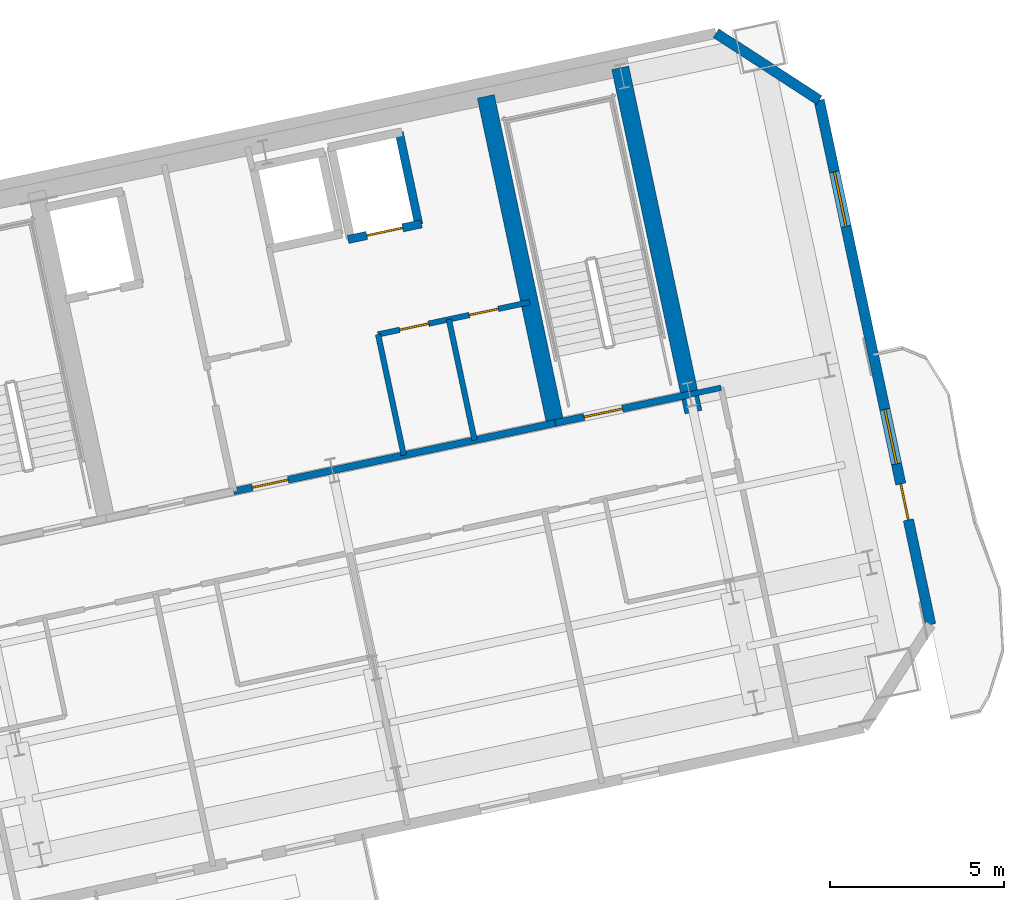
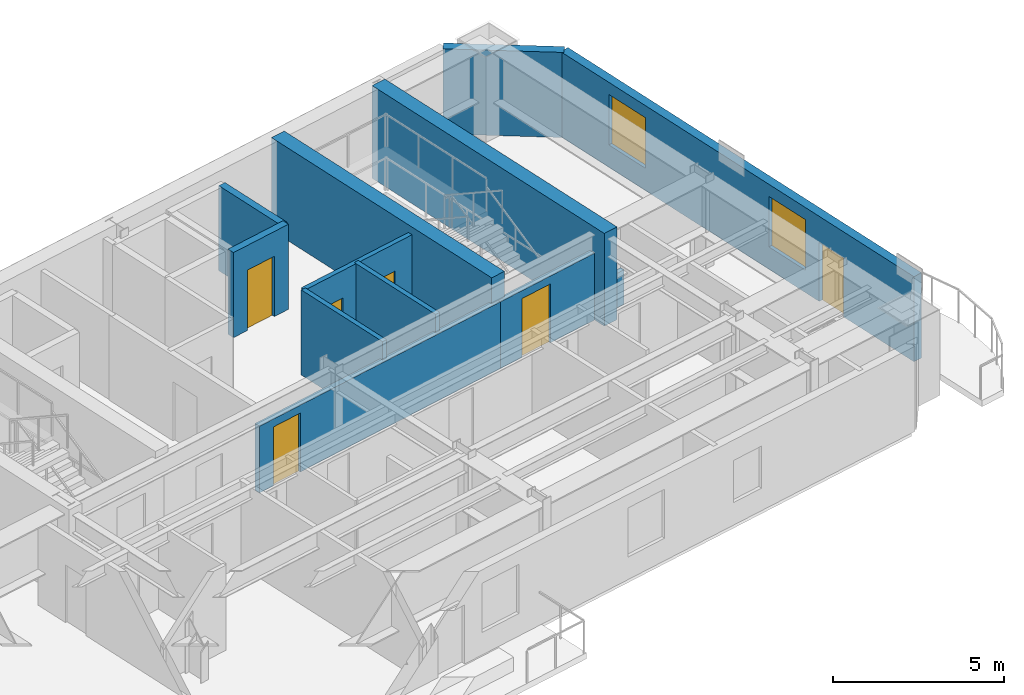
# One storey, part 11 of 16: 12 walls, 6 doors, 2 windows, 8 openings.
"""IFC4 building model written with IfcOpenShell, lengths in metres."""

from ifc_helpers import new_model, si_unit, direction, frame, frame_2d, origin, place, context, subcontext, project, spatial, rectangle, extrude, material, layer, layer_set, type_object, element, fill, save


model = new_model("IFC4")

# Units and contexts
model_context = context("Model", 3, precision=1e-05, world=origin(), true_north=direction((0.0, 1.0)))
body_context = subcontext(model_context, "Body", "Model", "MODEL_VIEW")
ifc_project = project(units=[si_unit("LENGTHUNIT", "METRE"), si_unit("AREAUNIT", "SQUARE_METRE"), si_unit("VOLUMEUNIT", "CUBIC_METRE"), si_unit("PLANEANGLEUNIT", "RADIAN"), si_unit("MASSUNIT", "GRAM", prefix="KILO")], contexts=[model_context])

# Site, building, storey
site_placement = place(None, origin())
site = spatial("IfcSite", under=ifc_project, at=site_placement, CompositionType="ELEMENT")
building_placement = place(site_placement, origin())
building = spatial("IfcBuilding", under=site, at=building_placement, Name="Haevon Station Towers", CompositionType="ELEMENT")
storey_placement = place(building_placement, frame((0.0, 0.0, 172.5)))
storey = spatial("IfcBuildingStorey", under=building, at=storey_placement, Name="L47", CompositionType="ELEMENT", Elevation=172.5)

# Wall, opening, door
ifc_material_1 = material(Name="Gypsum board on steel stud", Category="steel")
ifc_layer_1 = layer(ifc_material_1, 0.199951171875)
ifc_layer_set_1 = layer_set([ifc_layer_1], Name="Gypsum board on steel stud")
wall_type_1 = type_object("IfcWallType", Name="WL-COR200", PredefinedType="PARTITIONING", material=ifc_layer_set_1)
wall_1_placement = place(storey_placement, frame((115.4296875, 40.9873046875, 0.0), z_axis=(0.0, 0.0, 1.0), x_axis=(0.978146596989, 0.207916413008, 0.0)))
wall_1 = element("IfcWall", 1, at=wall_1_placement, inside=storey, type_object=wall_type_1, Name="WL-ST-ST4-L47", PredefinedType="PARTITIONING", context=body_context, shape_type="SweptSolid", body=[
    extrude(rectangle(XDim=3.9501953125, YDim=0.199951171875, at=frame_2d((1.97509765625, 0.0))), origin(), (0.0, 0.0, 1.0), 2.3798828125),
])
opening_1_placement = place(wall_1_placement, frame((0.85009765625, 0.0, 0.0)))
opening_1 = element("IfcOpeningElement", 2, at=opening_1_placement, cuts=wall_1, Name="Opening DR-ST-ST4-L47", PredefinedType="OPENING", context=body_context, shape_type="SweptSolid", body=[
    extrude(rectangle(XDim=1.1201171875, YDim=2.10009765625, at=frame_2d((0.56005859375, 1.050048828125))), frame((0.0, 0.10986328125, 0.0), z_axis=(0.0, -1.0, 0.0), x_axis=(1.0, 0.0, 0.0)), (0.0, 0.0, 1.0), 0.219970703125),
])
ifc_material_2 = material(Name="Engineered oak timber", Category="wood")
door_type_1 = type_object("IfcDoorType", Name="DR-ST-1120", OperationType="NOTDEFINED", PredefinedType="DOOR", material=ifc_material_2)
door_1_placement = place(opening_1_placement, origin())
door_1 = element("IfcDoor", 3, at=door_1_placement, inside=storey, type_object=door_type_1, Name="L47 Escape Stair ST4 Fire Door", OperationType="SINGLE_SWING_LEFT", OverallHeight=2.10009765625, OverallWidth=1.1201171875, PredefinedType="DOOR", context=body_context, shape_type="SweptSolid", body=[
    extrude(rectangle(XDim=1.1201171875, YDim=2.10009765625, at=frame_2d((0.56005859375, 1.050048828125))), frame((0.0, 0.02490234375, 0.0), z_axis=(0.0, -1.0, 0.0), x_axis=(1.0, 0.0, 0.0)), (0.0, 0.0, 1.0), 0.050048828125),
])
fill(opening_1, door_1)

wall_2_placement = place(storey_placement, frame((106.186279296875, 39.0224609375, 0.0), z_axis=(0.0, 0.0, 1.0), x_axis=(0.978145519981, 0.20792147975, 0.0)))
wall_2 = element("IfcWall", 4, at=wall_2_placement, inside=storey, type_object=wall_type_1, Name="WL-T2CLB-L47", PredefinedType="PARTITIONING", context=body_context, shape_type="SweptSolid", body=[
    extrude(rectangle(XDim=9.449951171875, YDim=0.199951171875, at=frame_2d((4.72509765625, 0.0))), origin(), (0.0, 0.0, 1.0), 2.3798828125),
])
opening_2_placement = place(wall_2_placement, frame((0.550048828125, 0.0, 0.0)))
opening_2 = element("IfcOpeningElement", 5, at=opening_2_placement, cuts=wall_2, Name="Opening DR-T2CLB-L47-1", PredefinedType="OPENING", context=body_context, shape_type="SweptSolid", body=[
    extrude(rectangle(XDim=1.050048828125, YDim=2.10009765625, at=frame_2d((0.52490234375, 1.050048828125))), frame((0.0, 0.10986328125, 0.0), z_axis=(0.0, -1.0, 0.0), x_axis=(1.0, 0.0, 0.0)), (0.0, 0.0, 1.0), 0.219970703125),
])
door_type_2 = type_object("IfcDoorType", Name="DR-FD60-1050", OperationType="NOTDEFINED", PredefinedType="DOOR", material=ifc_material_2)
door_2_placement = place(opening_2_placement, origin())
door_2 = element("IfcDoor", 6, at=door_2_placement, inside=storey, type_object=door_type_2, Name="L47 Tower 2 Core Lift Lobby Door 1", OperationType="SINGLE_SWING_RIGHT", OverallHeight=2.10009765625, OverallWidth=1.050048828125, PredefinedType="DOOR", context=body_context, shape_type="SweptSolid", body=[
    extrude(rectangle(XDim=1.050048828125, YDim=2.10009765625, at=frame_2d((0.52490234375, 1.050048828125))), frame((0.0, 0.02490234375, 0.0), z_axis=(0.0, -1.0, 0.0), x_axis=(1.0, 0.0, 0.0)), (0.0, 0.0, 1.0), 0.050048828125),
])
fill(opening_2, door_2)

# Walls
ifc_material_3 = material(Name="Concrete C60/75", Category="concrete")
ifc_layer_2 = layer(ifc_material_3, 0.5)
ifc_layer_set_2 = layer_set([ifc_layer_2], Name="Concrete C60/75")
wall_type_2 = type_object("IfcWallType", Name="WL-CR500", PredefinedType="SHEAR", material=ifc_layer_set_2)
wall_3_placement = place(storey_placement, frame((119.401611328125, 41.2998046875, 0.0), z_axis=(0.0, 0.0, 1.0), x_axis=(-0.207904342798, 0.978149162575, 0.0)))
element("IfcWall", 7, at=wall_3_placement, inside=storey, type_object=wall_type_2, Name="WL-T2CR-L47-E", PredefinedType="SHEAR", context=body_context, shape_type="SweptSolid", body=[
    extrude(rectangle(XDim=10.1201171875, YDim=0.5, at=frame_2d((5.06005859375, 0.0))), origin(), (0.0, 0.0, 1.0), 3.300048828125),
])
wall_4_placement = place(storey_placement, frame((115.4296875, 40.9873046875, 0.0), z_axis=(0.0, 0.0, 1.0), x_axis=(-0.207903162969, 0.978149413345, 0.0)))
element("IfcWall", 8, at=wall_4_placement, inside=storey, type_object=wall_type_2, Name="WL-T2CR-L47-M2", PredefinedType="SHEAR", context=body_context, shape_type="SweptSolid", body=[
    extrude(rectangle(XDim=9.599853515625, YDim=0.5, at=frame_2d((4.7998046875, 0.0))), origin(), (0.0, 0.0, 1.0), 3.300048828125),
])
ifc_material_4 = material(Name="Precast concrete C45/55", Category="concrete")
ifc_layer_3 = layer(ifc_material_4, 0.300048828125)
ifc_layer_set_3 = layer_set([ifc_layer_3], Name="Precast concrete C45/55")
wall_type_3 = type_object("IfcWallType", Name="WL-EXT-PIER300", PredefinedType="SOLIDWALL", material=ifc_layer_set_3)
wall_5_placement = place(storey_placement, frame((120.051025390625, 52.19287109375, 0.0), z_axis=(0.0, 0.0, 1.0), x_axis=(0.838672309694, -0.544636352948, 0.0)))
element("IfcWall", 9, at=wall_5_placement, inside=storey, type_object=wall_type_3, Name="WL-T2-L47-NEC", PredefinedType="SOLIDWALL", context=body_context, shape_type="SweptSolid", body=[
    extrude(rectangle(XDim=3.535400390625, YDim=0.300048828125, at=frame_2d((1.767578125, 0.0))), origin(), (0.0, 0.0, 1.0), 3.030029296875),
])

# Wall, openings, door, windows
wall_6_placement = place(storey_placement, frame((123.01611328125, 50.267333984375, 0.0), z_axis=(0.0, 0.0, 1.0), x_axis=(0.207908020757, -0.978148380822, 0.0)))
wall_6 = element("IfcWall", 10, at=wall_6_placement, inside=storey, type_object=wall_type_3, Name="WL-T2-L47-E", PredefinedType="SOLIDWALL", context=body_context, shape_type="SweptSolid", body=[
    extrude(rectangle(XDim=15.409912109375, YDim=0.300048828125, at=frame_2d((7.705078125, 0.0))), origin(), (0.0, 0.0, 1.0), 3.030029296875),
])
opening_3_placement = place(wall_6_placement, frame((11.280029296875, 0.0, 0.0)))
opening_3 = element("IfcOpeningElement", 11, at=opening_3_placement, cuts=wall_6, Name="Opening DR-T2-SCAL-L47-E", PredefinedType="OPENING", context=body_context, shape_type="SweptSolid", body=[
    extrude(rectangle(XDim=1.050048828125, YDim=2.10009765625, at=frame_2d((0.52490234375, 1.050048828125))), frame((0.0, 0.159912109375, 0.0), z_axis=(0.0, -1.0, 0.0), x_axis=(1.0, 0.0, 0.0)), (0.0, 0.0, 1.0), 0.320068359375),
])
opening_4_placement = place(wall_6_placement, frame((2.108154296875, 0.0, 0.800048828125)))
opening_4 = element("IfcOpeningElement", 12, at=opening_4_placement, cuts=wall_6, Name="Opening WN-END160", PredefinedType="OPENING", context=body_context, shape_type="SweptSolid", body=[
    extrude(rectangle(XDim=1.60009765625, YDim=1.800048828125, at=frame_2d((0.800048828125, 0.89990234375))), frame((0.0, 0.159912109375, 0.0), z_axis=(0.0, -1.0, 0.0), x_axis=(1.0, 0.0, 0.0)), (0.0, 0.0, 1.0), 0.320068359375),
])
opening_5_placement = place(wall_6_placement, frame((9.08544921875, 0.0, 0.800048828125)))
opening_5 = element("IfcOpeningElement", 13, at=opening_5_placement, cuts=wall_6, Name="Opening WN-END160", PredefinedType="OPENING", context=body_context, shape_type="SweptSolid", body=[
    extrude(rectangle(XDim=1.60009765625, YDim=1.800048828125, at=frame_2d((0.800048828125, 0.89990234375))), frame((0.0, 0.159912109375, 0.0), z_axis=(0.0, -1.0, 0.0), x_axis=(1.0, 0.0, 0.0)), (0.0, 0.0, 1.0), 0.320068359375),
])
ifc_material_5 = material(Name="Thermally broken anodised aluminium and laminated safety glass", Category="aluminium")
door_type_3 = type_object("IfcDoorType", Name="DR-BALC-1050", OperationType="NOTDEFINED", PredefinedType="DOOR", material=ifc_material_5)
door_3_placement = place(opening_3_placement, origin())
door_3 = element("IfcDoor", 14, at=door_3_placement, inside=storey, type_object=door_type_3, Name="Tower 2 L47 East Scalloped Balcony Door", OperationType="SINGLE_SWING_LEFT", OverallHeight=2.10009765625, OverallWidth=1.050048828125, PredefinedType="DOOR", context=body_context, shape_type="SweptSolid", body=[
    extrude(rectangle(XDim=1.050048828125, YDim=2.10009765625, at=frame_2d((0.52490234375, 1.050048828125))), frame((0.0, 0.02490234375, 0.0), z_axis=(0.0, -1.0, 0.0), x_axis=(1.0, 0.0, 0.0)), (0.0, 0.0, 1.0), 0.050048828125),
])
fill(opening_3, door_3)
ifc_material_6 = material(Name="Low-E triple glazing in thermally broken aluminium", Category="aluminium")
window_type = type_object("IfcWindowType", Name="WN-END160", PartitioningType="SINGLE_PANEL", PredefinedType="WINDOW", material=ifc_material_6)
window_1_placement = place(opening_4_placement, origin())
window_1 = element("IfcWindow", 15, at=window_1_placement, inside=storey, type_object=window_type, Name="WN-T2-L47-E01", OverallHeight=1.800048828125, OverallWidth=1.60009765625, PartitioningType="SINGLE_PANEL", PredefinedType="WINDOW", context=body_context, shape_type="SweptSolid", body=[
    extrude(rectangle(XDim=1.60009765625, YDim=1.800048828125, at=frame_2d((0.800048828125, 0.89990234375))), frame((0.0, 0.030029296875, 0.0), z_axis=(0.0, -1.0, 0.0), x_axis=(1.0, 0.0, 0.0)), (0.0, 0.0, 1.0), 0.06005859375),
])
fill(opening_4, window_1)
window_2_placement = place(opening_5_placement, origin())
window_2 = element("IfcWindow", 16, at=window_2_placement, inside=storey, type_object=window_type, Name="WN-T2-L47-E02", OverallHeight=1.800048828125, OverallWidth=1.60009765625, PartitioningType="SINGLE_PANEL", PredefinedType="WINDOW", context=body_context, shape_type="SweptSolid", body=[
    extrude(rectangle(XDim=1.60009765625, YDim=1.800048828125, at=frame_2d((0.800048828125, 0.89990234375))), frame((0.0, 0.030029296875, 0.0), z_axis=(0.0, -1.0, 0.0), x_axis=(1.0, 0.0, 0.0)), (0.0, 0.0, 1.0), 0.06005859375),
])
fill(opening_5, window_2)

# Walls
ifc_layer_4 = layer(ifc_material_1, 0.159912109375)
ifc_layer_set_4 = layer_set([ifc_layer_4], Name="Gypsum board on steel stud")
wall_type_4 = type_object("IfcWallType", Name="WL-PRT160", PredefinedType="PARTITIONING", material=ifc_layer_set_4)
for number, where, z_axis, x_axis, name in (
    (17, (111.076904296875, 40.06201171875, 0.0), (0.0, 0.0, 1.0), (-0.207899058817, 0.978150285663, 0.0), "WL-T2CW-L47-05"),
    (18, (113.111572265625, 40.49462890625, 0.0), (0.0, 0.0, 1.0), (-0.207899058817, 0.978150285663, 0.0), "WL-T2CW-L47-06"),
):
    element("IfcWall", number, at=place(storey_placement, frame(where, z_axis=z_axis, x_axis=x_axis)), inside=storey, type_object=wall_type_4, Name=name, PredefinedType="PARTITIONING", context=body_context, shape_type="SweptSolid", body=[
        extrude(rectangle(XDim=3.550048828125, YDim=0.159912109375, at=frame_2d((1.77490234375, 0.0))), origin(), (0.0, 0.0, 1.0), 3.030029296875),
    ])

# Wall, openings, doors
wall_7_placement = place(storey_placement, frame((110.3388671875, 43.534423828125, 0.0), z_axis=(0.0, 0.0, 1.0), x_axis=(0.978143929138, 0.207928963567, 0.0)))
wall_7 = element("IfcWall", 19, at=wall_7_placement, inside=storey, type_object=wall_type_4, Name="WL-T2CW-L47-07", PredefinedType="PARTITIONING", context=body_context, shape_type="SweptSolid", body=[
    extrude(rectangle(XDim=4.449951171875, YDim=0.159912109375, at=frame_2d((2.22509765625, 0.0))), origin(), (0.0, 0.0, 1.0), 3.030029296875),
])
opening_6_placement = place(wall_7_placement, frame((0.635009765625, 0.0, 0.0)))
opening_6 = element("IfcOpeningElement", 20, at=opening_6_placement, cuts=wall_7, Name="Opening DR-WL-T2CW-L47-07-1", PredefinedType="OPENING", context=body_context, shape_type="SweptSolid", body=[
    extrude(rectangle(XDim=0.85009765625, YDim=2.050048828125, at=frame_2d((0.425048828125, 1.02490234375))), frame((0.0, 0.08984375, 0.0), z_axis=(0.0, -1.0, 0.0), x_axis=(1.0, 0.0, 0.0)), (0.0, 0.0, 1.0), 0.179931640625),
])
opening_7_placement = place(wall_7_placement, frame((2.679931640625, 0.0, 0.0)))
opening_7 = element("IfcOpeningElement", 21, at=opening_7_placement, cuts=wall_7, Name="Opening DR-WL-T2CW-L47-07-2", PredefinedType="OPENING", context=body_context, shape_type="SweptSolid", body=[
    extrude(rectangle(XDim=0.85009765625, YDim=2.050048828125, at=frame_2d((0.425048828125, 1.02490234375))), frame((0.0, 0.08984375, 0.0), z_axis=(0.0, -1.0, 0.0), x_axis=(1.0, 0.0, 0.0)), (0.0, 0.0, 1.0), 0.179931640625),
])
door_type_4 = type_object("IfcDoorType", Name="DR-FD30-850", OperationType="NOTDEFINED", PredefinedType="DOOR", material=ifc_material_2)
door_4_placement = place(opening_6_placement, origin())
door_4 = element("IfcDoor", 22, at=door_4_placement, inside=storey, type_object=door_type_4, Name="L47 Tower 2 Core Room Door 7-1", OperationType="SINGLE_SWING_RIGHT", OverallHeight=2.050048828125, OverallWidth=0.85009765625, PredefinedType="DOOR", context=body_context, shape_type="SweptSolid", body=[
    extrude(rectangle(XDim=0.85009765625, YDim=2.050048828125, at=frame_2d((0.425048828125, 1.02490234375))), frame((0.0, 0.02490234375, 0.0), z_axis=(0.0, -1.0, 0.0), x_axis=(1.0, 0.0, 0.0)), (0.0, 0.0, 1.0), 0.050048828125),
])
fill(opening_6, door_4)
door_5_placement = place(opening_7_placement, origin())
door_5 = element("IfcDoor", 23, at=door_5_placement, inside=storey, type_object=door_type_4, Name="L47 Tower 2 Core Room Door 7-2", OperationType="SINGLE_SWING_LEFT", OverallHeight=2.050048828125, OverallWidth=0.85009765625, PredefinedType="DOOR", context=body_context, shape_type="SweptSolid", body=[
    extrude(rectangle(XDim=0.85009765625, YDim=2.050048828125, at=frame_2d((0.425048828125, 1.02490234375))), frame((0.0, 0.02490234375, 0.0), z_axis=(0.0, -1.0, 0.0), x_axis=(1.0, 0.0, 0.0)), (0.0, 0.0, 1.0), 0.050048828125),
])
fill(opening_7, door_5)

# Wall
wall_8_placement = place(storey_placement, frame((119.29345703125, 41.80859375, 0.0), z_axis=(0.0, 0.0, 1.0), x_axis=(0.978133353907, 0.20797870558, 0.0)))
element("IfcWall", 24, at=wall_8_placement, inside=storey, type_object=wall_type_4, Name="WL-T2PT-L47-02", PredefinedType="PARTITIONING", context=body_context, shape_type="SweptSolid", body=[
    extrude(rectangle(XDim=0.925048828125, YDim=0.159912109375, at=frame_2d((0.46240234375, 0.0))), origin(), (0.0, 0.0, 1.0), 1.22998046875),
])

# Wall, opening, door
ifc_material_7 = material(Name="Concrete C40/50", Category="concrete")
ifc_layer_5 = layer(ifc_material_7, 0.239990234375)
ifc_layer_set_5 = layer_set([ifc_layer_5], Name="Concrete C40/50")
wall_type_5 = type_object("IfcWallType", Name="WL-SHF240", PredefinedType="PARTITIONING", material=ifc_layer_set_5)
wall_9_placement = place(storey_placement, frame((109.472412109375, 46.263916015625, 0.0), z_axis=(0.0, 0.0, 1.0), x_axis=(0.97813528961, 0.207969601673, 0.0)))
wall_9 = element("IfcWall", 25, at=wall_9_placement, inside=storey, type_object=wall_type_5, Name="WL-SHF-PL9-L47", PredefinedType="PARTITIONING", context=body_context, shape_type="SweptSolid", body=[
    extrude(rectangle(XDim=2.159912109375, YDim=0.239990234375, at=frame_2d((1.080078125, 0.0))), origin(), (0.0, 0.0, 1.0), 3.030029296875),
])
opening_8_placement = place(wall_9_placement, frame((0.554931640625, 0.0, 0.0)))
opening_8 = element("IfcOpeningElement", 26, at=opening_8_placement, cuts=wall_9, Name="Opening LD-PL9-L47", PredefinedType="OPENING", context=body_context, shape_type="SweptSolid", body=[
    extrude(rectangle(XDim=1.050048828125, YDim=2.14990234375, at=frame_2d((0.52490234375, 1.074951171875))), frame((0.0, 0.1298828125, 0.0), z_axis=(0.0, -1.0, 0.0), x_axis=(1.0, 0.0, 0.0)), (0.0, 0.0, 1.0), 0.260009765625),
])
ifc_material_8 = material(Name="Stainless steel and rated core", Category="steel")
door_type_5 = type_object("IfcDoorType", Name="LD-PL1050", OperationType="SLIDING_TO_LEFT", PredefinedType="DOOR", material=ifc_material_8)
door_6_placement = place(opening_8_placement, origin())
door_6 = element("IfcDoor", 27, at=door_6_placement, inside=storey, type_object=door_type_5, Name="L47 Lift PL9 Sliding Landing Door", OperationType="SLIDING_TO_LEFT", OverallHeight=2.14990234375, OverallWidth=1.050048828125, PredefinedType="DOOR", context=body_context, shape_type="SweptSolid", body=[
    extrude(rectangle(XDim=1.050048828125, YDim=2.14990234375, at=frame_2d((0.52490234375, 1.074951171875))), frame((0.0, 0.02490234375, 0.0), z_axis=(0.0, -1.0, 0.0), x_axis=(1.0, 0.0, 0.0)), (0.0, 0.0, 1.0), 0.050048828125),
])
fill(opening_8, door_6)

# Wall
wall_10_placement = place(storey_placement, frame((111.507080078125, 46.696533203125, 0.0), z_axis=(0.0, 0.0, 1.0), x_axis=(-0.207892282326, 0.978151725935, 0.0)))
element("IfcWall", 28, at=wall_10_placement, inside=storey, type_object=wall_type_5, Name="WL-SHF-PL9-L47-E", PredefinedType="PARTITIONING", context=body_context, shape_type="SweptSolid", body=[
    extrude(rectangle(XDim=2.699951171875, YDim=0.239990234375, at=frame_2d((1.35009765625, 0.0))), origin(), (0.0, 0.0, 1.0), 3.030029296875),
])

save(model, "model.ifc")
